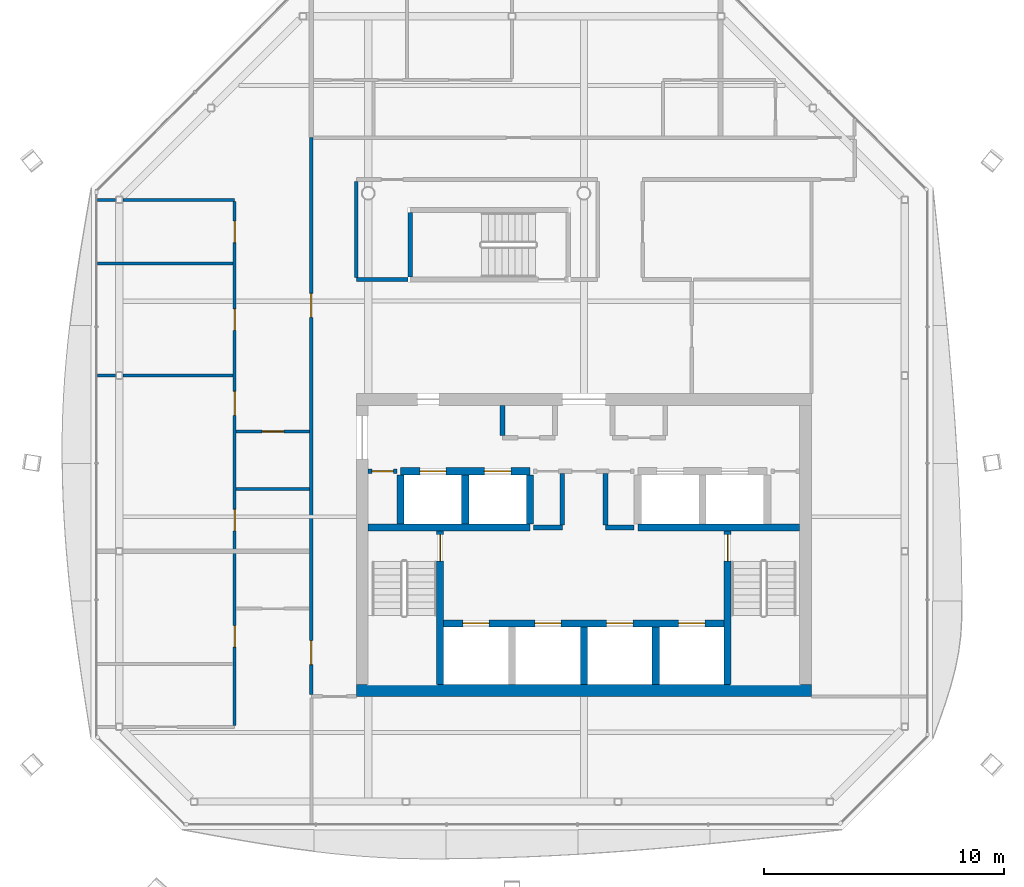
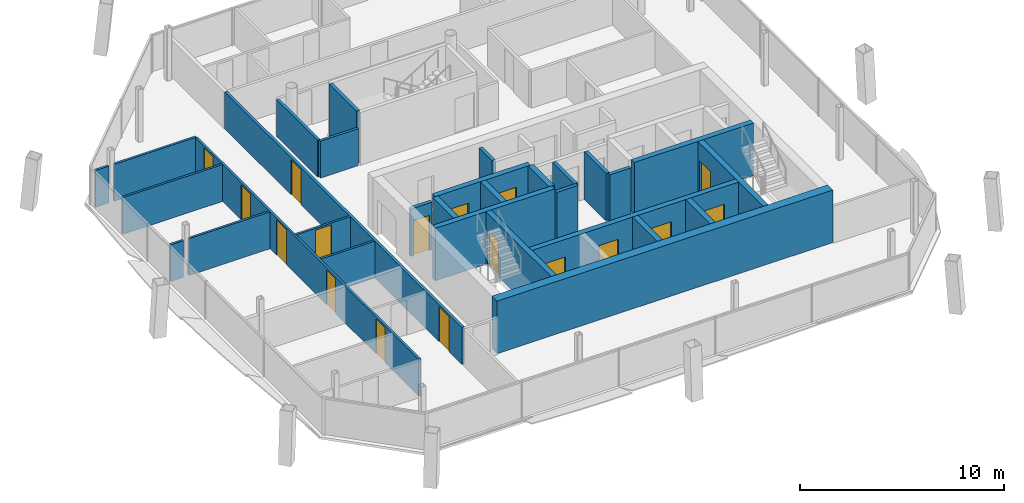
# One storey, part 10 of 16: 30 walls, 17 doors, 17 openings.
"""IFC4 building model written with IfcOpenShell, lengths in metres."""

from ifc_helpers import new_model, si_unit, direction, frame, frame_2d, origin, place, context, subcontext, project, spatial, rectangle, extrude, material, layer, layer_set, type_object, element, fill, save


model = new_model("IFC4")

# Units and contexts
model_context = context("Model", 3, precision=1e-05, world=origin(), true_north=direction((0.0, 1.0)))
body_context = subcontext(model_context, "Body", "Model", "MODEL_VIEW")
ifc_project = project(units=[si_unit("LENGTHUNIT", "METRE"), si_unit("AREAUNIT", "SQUARE_METRE"), si_unit("VOLUMEUNIT", "CUBIC_METRE"), si_unit("PLANEANGLEUNIT", "RADIAN"), si_unit("MASSUNIT", "GRAM", prefix="KILO")], contexts=[model_context])

# Site, building, storey
site_placement = place(None, origin())
site = spatial("IfcSite", under=ifc_project, at=site_placement, CompositionType="ELEMENT")
building_placement = place(site_placement, origin())
building = spatial("IfcBuilding", under=site, at=building_placement, Name="Tskaro Facet Tower", CompositionType="ELEMENT")
storey_placement = place(building_placement, frame((0.0, 0.0, 251.85009765625)))
storey = spatial("IfcBuildingStorey", under=building, at=storey_placement, Name="L66", CompositionType="ELEMENT", Elevation=251.85009765625)

# Wall, openings, doors
ifc_material_1 = material(Name="Concrete C60/75", Category="concrete")
ifc_layer_1 = layer(ifc_material_1, 0.300048828125, Name="Concrete C60/75")
ifc_layer_set_1 = layer_set([ifc_layer_1], Name="Concrete C60/75")
wall_type_1 = type_object("IfcWallType", Name="CORE-SHAFT", PredefinedType="SHEAR", material=ifc_layer_set_1)
wall_1_placement = place(storey_placement, frame((-5.85009765625, -8.949951171875, 0.0), z_axis=(0.0, 0.0, 1.0), x_axis=(1.0, 0.0, 0.0)))
wall_1 = element("IfcWall", 1, at=wall_1_placement, inside=storey, type_object=wall_type_1, Name="Shaft wall W006", PredefinedType="SHEAR", context=body_context, shape_type="SweptSolid", body=[
    extrude(rectangle(XDim=11.7001953125, YDim=0.300048828125, at=frame_2d((5.85009765625, 0.0))), origin(), (0.0, 0.0, 1.0), 3.14990234375),
])
opening_1_placement = place(wall_1_placement, frame((0.800048828125, 0.0, 0.0)))
opening_1 = element("IfcOpeningElement", 2, at=opening_1_placement, cuts=wall_1, Name="Opening LD-FF1", PredefinedType="OPENING", context=body_context, shape_type="SweptSolid", body=[
    extrude(rectangle(XDim=1.10009765625, YDim=2.10009765625, at=frame_2d((0.550048828125, 1.050048828125))), frame((0.0, 0.159912109375, 0.0), z_axis=(0.0, -1.0, 0.0), x_axis=(1.0, 0.0, 0.0)), (0.0, 0.0, 1.0), 0.320068359375),
])
opening_2_placement = place(wall_1_placement, frame((3.800048828125, 0.0, 0.0)))
opening_2 = element("IfcOpeningElement", 3, at=opening_2_placement, cuts=wall_1, Name="Opening LD-FF2", PredefinedType="OPENING", context=body_context, shape_type="SweptSolid", body=[
    extrude(rectangle(XDim=1.10009765625, YDim=2.10009765625, at=frame_2d((0.550048828125, 1.050048828125))), frame((0.0, 0.159912109375, 0.0), z_axis=(0.0, -1.0, 0.0), x_axis=(1.0, 0.0, 0.0)), (0.0, 0.0, 1.0), 0.320068359375),
])
opening_3_placement = place(wall_1_placement, frame((6.800048828125, 0.0, 0.0)))
opening_3 = element("IfcOpeningElement", 4, at=opening_3_placement, cuts=wall_1, Name="Opening LD-SV1", PredefinedType="OPENING", context=body_context, shape_type="SweptSolid", body=[
    extrude(rectangle(XDim=1.10009765625, YDim=2.10009765625, at=frame_2d((0.550048828125, 1.050048828125))), frame((0.0, 0.159912109375, 0.0), z_axis=(0.0, -1.0, 0.0), x_axis=(1.0, 0.0, 0.0)), (0.0, 0.0, 1.0), 0.320068359375),
])
opening_4_placement = place(wall_1_placement, frame((9.800048828125, 0.0, 0.0)))
opening_4 = element("IfcOpeningElement", 5, at=opening_4_placement, cuts=wall_1, Name="Opening LD-SV2", PredefinedType="OPENING", context=body_context, shape_type="SweptSolid", body=[
    extrude(rectangle(XDim=1.10009765625, YDim=2.10009765625, at=frame_2d((0.550048828125, 1.050048828125))), frame((0.0, 0.159912109375, 0.0), z_axis=(0.0, -1.0, 0.0), x_axis=(1.0, 0.0, 0.0)), (0.0, 0.0, 1.0), 0.320068359375),
])
ifc_material_2 = material(Name="Stainless steel", Category="steel")
door_type_1 = type_object("IfcDoorType", Name="D-LANDING", OperationType="NOTDEFINED", PredefinedType="DOOR", material=ifc_material_2)
door_1_placement = place(opening_1_placement, origin())
door_1 = element("IfcDoor", 6, at=door_1_placement, inside=storey, type_object=door_type_1, Name="Landing door FF1", OperationType="DOUBLE_DOOR_SLIDING", OverallHeight=2.10009765625, OverallWidth=1.10009765625, PredefinedType="DOOR", context=body_context, shape_type="SweptSolid", body=[
    extrude(rectangle(XDim=1.10009765625, YDim=2.10009765625, at=frame_2d((0.550048828125, 1.050048828125))), frame((0.0, 0.02490234375, 0.0), z_axis=(0.0, -1.0, 0.0), x_axis=(1.0, 0.0, 0.0)), (0.0, 0.0, 1.0), 0.050048828125),
])
fill(opening_1, door_1)
door_2_placement = place(opening_2_placement, origin())
door_2 = element("IfcDoor", 7, at=door_2_placement, inside=storey, type_object=door_type_1, Name="Landing door FF2", OperationType="DOUBLE_DOOR_SLIDING", OverallHeight=2.10009765625, OverallWidth=1.10009765625, PredefinedType="DOOR", context=body_context, shape_type="SweptSolid", body=[
    extrude(rectangle(XDim=1.10009765625, YDim=2.10009765625, at=frame_2d((0.550048828125, 1.050048828125))), frame((0.0, 0.02490234375, 0.0), z_axis=(0.0, -1.0, 0.0), x_axis=(1.0, 0.0, 0.0)), (0.0, 0.0, 1.0), 0.050048828125),
])
fill(opening_2, door_2)
door_3_placement = place(opening_3_placement, origin())
door_3 = element("IfcDoor", 8, at=door_3_placement, inside=storey, type_object=door_type_1, Name="Landing door SV1", OperationType="DOUBLE_DOOR_SLIDING", OverallHeight=2.10009765625, OverallWidth=1.10009765625, PredefinedType="DOOR", context=body_context, shape_type="SweptSolid", body=[
    extrude(rectangle(XDim=1.10009765625, YDim=2.10009765625, at=frame_2d((0.550048828125, 1.050048828125))), frame((0.0, 0.02490234375, 0.0), z_axis=(0.0, -1.0, 0.0), x_axis=(1.0, 0.0, 0.0)), (0.0, 0.0, 1.0), 0.050048828125),
])
fill(opening_3, door_3)
door_4_placement = place(opening_4_placement, origin())
door_4 = element("IfcDoor", 9, at=door_4_placement, inside=storey, type_object=door_type_1, Name="Landing door SV2", OperationType="DOUBLE_DOOR_SLIDING", OverallHeight=2.10009765625, OverallWidth=1.10009765625, PredefinedType="DOOR", context=body_context, shape_type="SweptSolid", body=[
    extrude(rectangle(XDim=1.10009765625, YDim=2.10009765625, at=frame_2d((0.550048828125, 1.050048828125))), frame((0.0, 0.02490234375, 0.0), z_axis=(0.0, -1.0, 0.0), x_axis=(1.0, 0.0, 0.0)), (0.0, 0.0, 1.0), 0.050048828125),
])
fill(opening_4, door_4)

# Walls
for number, where, z_axis, x_axis, name in (
    (10, (-9.0, -4.949951171875, 0.0), (0.0, 0.0, 1.0), (1.0, 0.0, 0.0), "Shaft wall W010"),
    (11, (2.25, -4.949951171875, 0.0), (0.0, 0.0, 1.0), (1.0, 0.0, 0.0), "Shaft wall W013"),
):
    element("IfcWall", number, at=place(storey_placement, frame(where, z_axis=z_axis, x_axis=x_axis)), inside=storey, type_object=wall_type_1, Name=name, PredefinedType="SHEAR", context=body_context, shape_type="SweptSolid", body=[
        extrude(rectangle(XDim=6.75, YDim=0.300048828125, at=frame_2d((3.375, 0.0))), origin(), (0.0, 0.0, 1.0), 3.14990234375),
    ])

# Wall, openings, doors
wall_2_placement = place(storey_placement, frame((-7.64990234375, -2.60009765625, 0.0), z_axis=(0.0, 0.0, 1.0), x_axis=(1.0, 0.0, 0.0)))
wall_2 = element("IfcWall", 12, at=wall_2_placement, inside=storey, type_object=wall_type_1, Name="Shaft wall W016", PredefinedType="SHEAR", context=body_context, shape_type="SweptSolid", body=[
    extrude(rectangle(XDim=5.39990234375, YDim=0.300048828125, at=frame_2d((2.699951171875, 0.0))), origin(), (0.0, 0.0, 1.0), 3.14990234375),
])
opening_5_placement = place(wall_2_placement, frame((0.800048828125, 0.0, 0.0)))
opening_5 = element("IfcOpeningElement", 13, at=opening_5_placement, cuts=wall_2, Name="Opening LD-HB1", PredefinedType="OPENING", context=body_context, shape_type="SweptSolid", body=[
    extrude(rectangle(XDim=1.10009765625, YDim=2.10009765625, at=frame_2d((0.550048828125, 1.050048828125))), frame((0.0, 0.159912109375, 0.0), z_axis=(0.0, -1.0, 0.0), x_axis=(1.0, 0.0, 0.0)), (0.0, 0.0, 1.0), 0.320068359375),
])
opening_6_placement = place(wall_2_placement, frame((3.5, 0.0, 0.0)))
opening_6 = element("IfcOpeningElement", 14, at=opening_6_placement, cuts=wall_2, Name="Opening LD-HB2", PredefinedType="OPENING", context=body_context, shape_type="SweptSolid", body=[
    extrude(rectangle(XDim=1.10009765625, YDim=2.10009765625, at=frame_2d((0.550048828125, 1.050048828125))), frame((0.0, 0.159912109375, 0.0), z_axis=(0.0, -1.0, 0.0), x_axis=(1.0, 0.0, 0.0)), (0.0, 0.0, 1.0), 0.320068359375),
])
door_5_placement = place(opening_5_placement, origin())
door_5 = element("IfcDoor", 15, at=door_5_placement, inside=storey, type_object=door_type_1, Name="Landing door HB1", OperationType="DOUBLE_DOOR_SLIDING", OverallHeight=2.10009765625, OverallWidth=1.10009765625, PredefinedType="DOOR", context=body_context, shape_type="SweptSolid", body=[
    extrude(rectangle(XDim=1.10009765625, YDim=2.10009765625, at=frame_2d((0.550048828125, 1.050048828125))), frame((0.0, 0.02490234375, 0.0), z_axis=(0.0, -1.0, 0.0), x_axis=(1.0, 0.0, 0.0)), (0.0, 0.0, 1.0), 0.050048828125),
])
fill(opening_5, door_5)
door_6_placement = place(opening_6_placement, origin())
door_6 = element("IfcDoor", 16, at=door_6_placement, inside=storey, type_object=door_type_1, Name="Landing door HB2", OperationType="DOUBLE_DOOR_SLIDING", OverallHeight=2.10009765625, OverallWidth=1.10009765625, PredefinedType="DOOR", context=body_context, shape_type="SweptSolid", body=[
    extrude(rectangle(XDim=1.10009765625, YDim=2.10009765625, at=frame_2d((0.550048828125, 1.050048828125))), frame((0.0, 0.02490234375, 0.0), z_axis=(0.0, -1.0, 0.0), x_axis=(1.0, 0.0, 0.0)), (0.0, 0.0, 1.0), 0.050048828125),
])
fill(opening_6, door_6)

# Wall
wall_3_placement = place(storey_placement, frame((-7.64990234375, -4.800048828125, 0.0), z_axis=(0.0, 0.0, 1.0), x_axis=(0.0, 1.0, 0.0)))
element("IfcWall", 17, at=wall_3_placement, inside=storey, type_object=wall_type_1, Name="Shaft wall W045", PredefinedType="SHEAR", context=body_context, shape_type="SweptSolid", body=[
    extrude(rectangle(XDim=2.050048828125, YDim=0.300048828125, at=frame_2d((1.02490234375, 0.0))), origin(), (0.0, 0.0, 1.0), 3.14990234375),
])

# Wall, opening, door
wall_4_placement = place(storey_placement, frame((-6.0, -11.5, 0.0), z_axis=(0.0, 0.0, 1.0), x_axis=(0.0, 1.0, 0.0)))
wall_4 = element("IfcWall", 18, at=wall_4_placement, inside=storey, type_object=wall_type_1, Name="Shaft wall W048", PredefinedType="SHEAR", context=body_context, shape_type="SweptSolid", body=[
    extrude(rectangle(XDim=6.39990234375, YDim=0.300048828125, at=frame_2d((3.199951171875, 0.0))), origin(), (0.0, 0.0, 1.0), 3.14990234375),
])
opening_7_placement = place(wall_4_placement, frame((5.14990234375, 0.0, 0.0)))
opening_7 = element("IfcOpeningElement", 19, at=opening_7_placement, cuts=wall_4, Name="Opening ST-1-D1", PredefinedType="OPENING", context=body_context, shape_type="SweptSolid", body=[
    extrude(rectangle(XDim=1.10009765625, YDim=2.10009765625, at=frame_2d((0.550048828125, 1.050048828125))), frame((0.0, 0.159912109375, 0.0), z_axis=(0.0, -1.0, 0.0), x_axis=(1.0, 0.0, 0.0)), (0.0, 0.0, 1.0), 0.320068359375),
])
ifc_material_3 = material(Name="Steel", Category="steel")
door_type_2 = type_object("IfcDoorType", Name="D-STAIR", OperationType="NOTDEFINED", PredefinedType="DOOR", material=ifc_material_3)
door_7_placement = place(opening_7_placement, origin())
door_7 = element("IfcDoor", 20, at=door_7_placement, inside=storey, type_object=door_type_2, Name="Stair door 1", OperationType="SINGLE_SWING_LEFT", OverallHeight=2.10009765625, OverallWidth=1.10009765625, PredefinedType="DOOR", context=body_context, shape_type="SweptSolid", body=[
    extrude(rectangle(XDim=1.10009765625, YDim=2.10009765625, at=frame_2d((0.550048828125, 1.050048828125))), frame((0.0, 0.02490234375, 0.0), z_axis=(0.0, -1.0, 0.0), x_axis=(1.0, 0.0, 0.0)), (0.0, 0.0, 1.0), 0.050048828125),
])
fill(opening_7, door_7)

# Walls
for number, where, z_axis, x_axis, name in (
    (21, (-4.949951171875, -4.800048828125, 0.0), (0.0, 0.0, 1.0), (0.0, 1.0, 0.0), "Shaft wall W049"),
    (22, (-2.25, -4.800048828125, 0.0), (0.0, 0.0, 1.0), (0.0, 1.0, 0.0), "Shaft wall W054"),
):
    element("IfcWall", number, at=place(storey_placement, frame(where, z_axis=z_axis, x_axis=x_axis)), inside=storey, type_object=wall_type_1, Name=name, PredefinedType="SHEAR", context=body_context, shape_type="SweptSolid", body=[
        extrude(rectangle(XDim=2.050048828125, YDim=0.300048828125, at=frame_2d((1.02490234375, 0.0))), origin(), (0.0, 0.0, 1.0), 3.14990234375),
    ])
for number, where, z_axis, x_axis, name in (
    (23, (0.0, -11.5, 0.0), (0.0, 0.0, 1.0), (0.0, 1.0, 0.0), "Shaft wall W058"),
    (24, (3.0, -11.5, 0.0), (0.0, 0.0, 1.0), (0.0, 1.0, 0.0), "Shaft wall W064"),
):
    element("IfcWall", number, at=place(storey_placement, frame(where, z_axis=z_axis, x_axis=x_axis)), inside=storey, type_object=wall_type_1, Name=name, PredefinedType="SHEAR", context=body_context, shape_type="SweptSolid", body=[
        extrude(rectangle(XDim=2.39990234375, YDim=0.300048828125, at=frame_2d((1.199951171875, 0.0))), origin(), (0.0, 0.0, 1.0), 3.14990234375),
    ])

# Wall, opening, door
wall_5_placement = place(storey_placement, frame((6.0, -5.10009765625, 0.0), z_axis=(0.0, 0.0, 1.0), x_axis=(0.0, -1.0, 0.0)))
wall_5 = element("IfcWall", 25, at=wall_5_placement, inside=storey, type_object=wall_type_1, Name="Shaft wall W071", PredefinedType="SHEAR", context=body_context, shape_type="SweptSolid", body=[
    extrude(rectangle(XDim=6.39990234375, YDim=0.300048828125, at=frame_2d((3.199951171875, 0.0))), origin(), (0.0, 0.0, 1.0), 3.14990234375),
])
opening_8_placement = place(wall_5_placement, frame((0.14990234375, 0.0, 0.0)))
opening_8 = element("IfcOpeningElement", 26, at=opening_8_placement, cuts=wall_5, Name="Opening ST-2-D1", PredefinedType="OPENING", context=body_context, shape_type="SweptSolid", body=[
    extrude(rectangle(XDim=1.10009765625, YDim=2.10009765625, at=frame_2d((0.550048828125, 1.050048828125))), frame((0.0, 0.159912109375, 0.0), z_axis=(0.0, -1.0, 0.0), x_axis=(1.0, 0.0, 0.0)), (0.0, 0.0, 1.0), 0.320068359375),
])
door_8_placement = place(opening_8_placement, origin())
door_8 = element("IfcDoor", 27, at=door_8_placement, inside=storey, type_object=door_type_2, Name="Stair door 2", OperationType="SINGLE_SWING_RIGHT", OverallHeight=2.10009765625, OverallWidth=1.10009765625, PredefinedType="DOOR", context=body_context, shape_type="SweptSolid", body=[
    extrude(rectangle(XDim=1.10009765625, YDim=2.10009765625, at=frame_2d((0.550048828125, 1.050048828125))), frame((0.0, 0.02490234375, 0.0), z_axis=(0.0, -1.0, 0.0), x_axis=(1.0, 0.0, 0.0)), (0.0, 0.0, 1.0), 0.050048828125),
])
fill(opening_8, door_8)

# Walls
ifc_material_4 = material(Name="Concrete C20/25", Category="concrete")
ifc_layer_2 = layer(ifc_material_4, 0.199951171875, Name="Concrete C20/25")
ifc_layer_set_2 = layer_set([ifc_layer_2], Name="Concrete C20/25")
wall_type_2 = type_object("IfcWallType", Name="CORE-WALL", PredefinedType="SOLIDWALL", material=ifc_layer_set_2)
for number, where, z_axis, x_axis, name in (
    (28, (-2.10009765625, -4.949951171875, 0.0), (0.0, 0.0, 1.0), (1.0, 0.0, 0.0), "Core room wall W011"),
    (29, (0.89990234375, -4.949951171875, 0.0), (0.0, 0.0, 1.0), (1.0, 0.0, 0.0), "Core room wall W012"),
):
    element("IfcWall", number, at=place(storey_placement, frame(where, z_axis=z_axis, x_axis=x_axis)), inside=storey, type_object=wall_type_2, Name=name, PredefinedType="SOLIDWALL", context=body_context, shape_type="SweptSolid", body=[
        extrude(rectangle(XDim=1.2001953125, YDim=0.199951171875, at=frame_2d((0.60009765625, 0.0))), origin(), (0.0, 0.0, 1.0), 2.849853515625),
    ])

# Wall, opening, door
wall_6_placement = place(storey_placement, frame((-7.800048828125, -2.60009765625, 0.0), z_axis=(0.0, 0.0, 1.0), x_axis=(-1.0, 0.0, 0.0)))
wall_6 = element("IfcWall", 30, at=wall_6_placement, inside=storey, type_object=wall_type_2, Name="Core room wall W015", PredefinedType="SOLIDWALL", context=body_context, shape_type="SweptSolid", body=[
    extrude(rectangle(XDim=1.199951171875, YDim=0.199951171875, at=frame_2d((0.60009765625, 0.0))), origin(), (0.0, 0.0, 1.0), 2.849853515625),
])
opening_9_placement = place(wall_6_placement, frame((0.14990234375, 0.0, 0.0)))
opening_9 = element("IfcOpeningElement", 31, at=opening_9_placement, cuts=wall_6, Name="Opening T19-D07", PredefinedType="OPENING", context=body_context, shape_type="SweptSolid", body=[
    extrude(rectangle(XDim=0.89990234375, YDim=2.10009765625, at=frame_2d((0.449951171875, 1.050048828125))), frame((0.0, 0.10986328125, 0.0), z_axis=(0.0, -1.0, 0.0), x_axis=(1.0, 0.0, 0.0)), (0.0, 0.0, 1.0), 0.219970703125),
])
ifc_material_5 = material(Name="Timber", Category="wood")
door_type_3 = type_object("IfcDoorType", Name="D-ROOM", OperationType="NOTDEFINED", PredefinedType="DOOR", material=ifc_material_5)
door_9_placement = place(opening_9_placement, origin())
door_9 = element("IfcDoor", 32, at=door_9_placement, inside=storey, type_object=door_type_3, Name="Door T19-D07", OperationType="SINGLE_SWING_RIGHT", OverallHeight=2.10009765625, OverallWidth=0.89990234375, PredefinedType="DOOR", context=body_context, shape_type="SweptSolid", body=[
    extrude(rectangle(XDim=0.89990234375, YDim=2.10009765625, at=frame_2d((0.449951171875, 1.050048828125))), frame((0.0, 0.02490234375, 0.0), z_axis=(0.0, -1.0, 0.0), x_axis=(1.0, 0.0, 0.0)), (0.0, 0.0, 1.0), 0.050048828125),
])
fill(opening_9, door_9)

# Walls
wall_7_placement = place(storey_placement, frame((-3.39990234375, -1.10009765625, 0.0), z_axis=(0.0, 0.0, 1.0), x_axis=(0.0, 1.0, 0.0)))
element("IfcWall", 33, at=wall_7_placement, inside=storey, type_object=wall_type_2, Name="Core room wall W050", PredefinedType="SOLIDWALL", context=body_context, shape_type="SweptSolid", body=[
    extrude(rectangle(XDim=1.25, YDim=0.199951171875, at=frame_2d((0.625, 0.0))), origin(), (0.0, 0.0, 1.0), 2.849853515625),
])
for number, where, z_axis, x_axis, name in (
    (34, (-0.89990234375, -4.85009765625, 0.0), (0.0, 0.0, 1.0), (0.0, 1.0, 0.0), "Core room wall W056"),
    (35, (0.89990234375, -4.85009765625, 0.0), (0.0, 0.0, 1.0), (0.0, 1.0, 0.0), "Core room wall W060"),
):
    element("IfcWall", number, at=place(storey_placement, frame(where, z_axis=z_axis, x_axis=x_axis)), inside=storey, type_object=wall_type_2, Name=name, PredefinedType="SOLIDWALL", context=body_context, shape_type="SweptSolid", body=[
        extrude(rectangle(XDim=2.150146484375, YDim=0.199951171875, at=frame_2d((1.0751953125, 0.0))), origin(), (0.0, 0.0, 1.0), 2.849853515625),
    ])
ifc_material_6 = material(Name="Concrete C40/50", Category="concrete")
ifc_layer_3 = layer(ifc_material_6, 0.5, Name="Concrete C40/50")
ifc_layer_set_3 = layer_set([ifc_layer_3], Name="Concrete C40/50")
wall_type_3 = type_object("IfcWallType", Name="Core wall 500", PredefinedType="SHEAR", material=ifc_layer_set_3)
wall_8_placement = place(storey_placement, frame((-9.5, -11.75, 0.0), z_axis=(0.0, 0.0, 1.0), x_axis=(1.0, 0.0, 0.0)))
element("IfcWall", 36, at=wall_8_placement, inside=storey, type_object=wall_type_3, Name="Core wall CW-Z3S", PredefinedType="SHEAR", context=body_context, shape_type="SweptSolid", body=[
    extrude(rectangle(XDim=19.0, YDim=0.5, at=frame_2d((9.5, 0.0))), origin(), (0.0, 0.0, 1.0), 3.14990234375),
])
ifc_material_7 = material(Name="Gypsum board on steel studs", Category="steel")
ifc_layer_4 = layer(ifc_material_7, 0.125, Name="Gypsum board on steel studs")
ifc_layer_set_4 = layer_set([ifc_layer_4], Name="Gypsum board on steel studs")
wall_type_4 = type_object("IfcWallType", Name="PART", PredefinedType="PARTITIONING", material=ifc_layer_set_4)
wall_9_placement = place(storey_placement, frame((-14.512451171875, -3.340087890625, 0.0), z_axis=(0.0, 0.0, 1.0), x_axis=(1.0, 0.0, 0.0)))
element("IfcWall", 37, at=wall_9_placement, inside=storey, type_object=wall_type_4, Name="Partition W014", PredefinedType="PARTITIONING", context=body_context, shape_type="SweptSolid", body=[
    extrude(rectangle(XDim=3.0625, YDim=0.125, at=frame_2d((1.53125, 0.0))), origin(), (0.0, 0.0, 1.0), 2.2099609375),
])

# Wall, opening, door
wall_10_placement = place(storey_placement, frame((-11.449951171875, -0.93994140625, 0.0), z_axis=(0.0, 0.0, 1.0), x_axis=(-1.0, 0.0, 0.0)))
wall_10 = element("IfcWall", 38, at=wall_10_placement, inside=storey, type_object=wall_type_4, Name="Partition W022", PredefinedType="PARTITIONING", context=body_context, shape_type="SweptSolid", body=[
    extrude(rectangle(XDim=3.0625, YDim=0.125, at=frame_2d((1.53125, 0.0))), origin(), (0.0, 0.0, 1.0), 2.2099609375),
])
opening_10_placement = place(wall_10_placement, frame((1.074951171875, 0.0, 0.0)))
opening_10 = element("IfcOpeningElement", 39, at=opening_10_placement, cuts=wall_10, Name="Opening T19-D14", PredefinedType="OPENING", context=body_context, shape_type="SweptSolid", body=[
    extrude(rectangle(XDim=0.89990234375, YDim=2.10009765625, at=frame_2d((0.449951171875, 1.050048828125))), frame((0.0, 0.072509765625, 0.0), z_axis=(0.0, -1.0, 0.0), x_axis=(1.0, 0.0, 0.0)), (0.0, 0.0, 1.0), 0.14501953125),
])
door_10_placement = place(opening_10_placement, origin())
door_10 = element("IfcDoor", 40, at=door_10_placement, inside=storey, type_object=door_type_3, Name="Door T19-D14", OperationType="SINGLE_SWING_RIGHT", OverallHeight=2.10009765625, OverallWidth=0.89990234375, PredefinedType="DOOR", context=body_context, shape_type="SweptSolid", body=[
    extrude(rectangle(XDim=0.89990234375, YDim=2.10009765625, at=frame_2d((0.449951171875, 1.050048828125))), frame((0.0, 0.02490234375, 0.0), z_axis=(0.0, -1.0, 0.0), x_axis=(1.0, 0.0, 0.0)), (0.0, 0.0, 1.0), 0.050048828125),
])
fill(opening_10, door_10)

# Walls
wall_11_placement = place(storey_placement, frame((-20.2900390625, 1.39501953125, 0.0), z_axis=(0.0, 0.0, 1.0), x_axis=(1.0, 0.0, 0.0)))
element("IfcWall", 41, at=wall_11_placement, inside=storey, type_object=wall_type_4, Name="Partition W023", PredefinedType="PARTITIONING", context=body_context, shape_type="SweptSolid", body=[
    extrude(rectangle(XDim=0.7490234375, YDim=0.125, at=frame_2d((0.37451171875, 0.0))), origin(), (0.0, 0.0, 1.0), 2.2099609375),
])
wall_12_placement = place(storey_placement, frame((-19.240966796875, 1.39501953125, 0.0), z_axis=(0.0, 0.0, 1.0), x_axis=(1.0, 0.0, 0.0)))
element("IfcWall", 42, at=wall_12_placement, inside=storey, type_object=wall_type_4, Name="Partition W024", PredefinedType="PARTITIONING", context=body_context, shape_type="SweptSolid", body=[
    extrude(rectangle(XDim=4.603515625, YDim=0.125, at=frame_2d((2.3017578125, 0.0))), origin(), (0.0, 0.0, 1.0), 2.2099609375),
])
wall_13_placement = place(storey_placement, frame((-20.2900390625, 6.06005859375, 0.0), z_axis=(0.0, 0.0, 1.0), x_axis=(1.0, 0.0, 0.0)))
element("IfcWall", 43, at=wall_13_placement, inside=storey, type_object=wall_type_4, Name="Partition W030", PredefinedType="PARTITIONING", context=body_context, shape_type="SweptSolid", body=[
    extrude(rectangle(XDim=5.652587890625, YDim=0.125, at=frame_2d((2.826171875, 0.0))), origin(), (0.0, 0.0, 1.0), 2.2099609375),
])
wall_14_placement = place(storey_placement, frame((-20.2900390625, 8.72509765625, 0.0), z_axis=(0.0, 0.0, 1.0), x_axis=(1.0, 0.0, 0.0)))
element("IfcWall", 44, at=wall_14_placement, inside=storey, type_object=wall_type_4, Name="Partition W032", PredefinedType="PARTITIONING", context=body_context, shape_type="SweptSolid", body=[
    extrude(rectangle(XDim=0.7490234375, YDim=0.125, at=frame_2d((0.37451171875, 0.0))), origin(), (0.0, 0.0, 1.0), 2.2099609375),
])
wall_15_placement = place(storey_placement, frame((-19.240966796875, 8.72509765625, 0.0), z_axis=(0.0, 0.0, 1.0), x_axis=(1.0, 0.0, 0.0)))
element("IfcWall", 45, at=wall_15_placement, inside=storey, type_object=wall_type_4, Name="Partition W033", PredefinedType="PARTITIONING", context=body_context, shape_type="SweptSolid", body=[
    extrude(rectangle(XDim=4.666015625, YDim=0.125, at=frame_2d((2.3330078125, 0.0))), origin(), (0.0, 0.0, 1.0), 2.2099609375),
])

# Wall, openings, doors
wall_16_placement = place(storey_placement, frame((-14.574951171875, -13.20751953125, 0.0), z_axis=(0.0, 0.0, 1.0), x_axis=(0.0, 1.0, 0.0)))
wall_16 = element("IfcWall", 46, at=wall_16_placement, inside=storey, type_object=wall_type_4, Name="Partition W039", PredefinedType="PARTITIONING", context=body_context, shape_type="SweptSolid", body=[
    extrude(rectangle(XDim=21.8701171875, YDim=0.125, at=frame_2d((10.93505859375, 0.0))), origin(), (0.0, 0.0, 1.0), 2.2099609375),
])
opening_11_placement = place(wall_16_placement, frame((3.267578125, 0.0, 0.0)))
opening_11 = element("IfcOpeningElement", 47, at=opening_11_placement, cuts=wall_16, Name="Opening T19-D04", PredefinedType="OPENING", context=body_context, shape_type="SweptSolid", body=[
    extrude(rectangle(XDim=0.89990234375, YDim=2.10009765625, at=frame_2d((0.449951171875, 1.050048828125))), frame((0.0, 0.072509765625, 0.0), z_axis=(0.0, -1.0, 0.0), x_axis=(1.0, 0.0, 0.0)), (0.0, 0.0, 1.0), 0.14501953125),
])
opening_12_placement = place(wall_16_placement, frame((16.485107421875, 0.0, 0.0)))
opening_12 = element("IfcOpeningElement", 48, at=opening_12_placement, cuts=wall_16, Name="Opening T19-D19", PredefinedType="OPENING", context=body_context, shape_type="SweptSolid", body=[
    extrude(rectangle(XDim=0.89990234375, YDim=2.10009765625, at=frame_2d((0.449951171875, 1.050048828125))), frame((0.0, 0.072509765625, 0.0), z_axis=(0.0, -1.0, 0.0), x_axis=(1.0, 0.0, 0.0)), (0.0, 0.0, 1.0), 0.14501953125),
])
opening_13_placement = place(wall_16_placement, frame((12.93505859375, 0.0, 0.0)))
opening_13 = element("IfcOpeningElement", 49, at=opening_13_placement, cuts=wall_16, Name="Opening T19-D15", PredefinedType="OPENING", context=body_context, shape_type="SweptSolid", body=[
    extrude(rectangle(XDim=1.0, YDim=2.10009765625, at=frame_2d((0.5, 1.050048828125))), frame((0.0, 0.072509765625, 0.0), z_axis=(0.0, -1.0, 0.0), x_axis=(1.0, 0.0, 0.0)), (0.0, 0.0, 1.0), 0.14501953125),
])
opening_14_placement = place(wall_16_placement, frame((20.14990234375, 0.0, 0.0)))
opening_14 = element("IfcOpeningElement", 50, at=opening_14_placement, cuts=wall_16, Name="Opening T19-D21", PredefinedType="OPENING", context=body_context, shape_type="SweptSolid", body=[
    extrude(rectangle(XDim=0.89990234375, YDim=2.10009765625, at=frame_2d((0.449951171875, 1.050048828125))), frame((0.0, 0.072509765625, 0.0), z_axis=(0.0, -1.0, 0.0), x_axis=(1.0, 0.0, 0.0)), (0.0, 0.0, 1.0), 0.14501953125),
])
opening_15_placement = place(wall_16_placement, frame((8.117431640625, 0.0, 0.0)))
opening_15 = element("IfcOpeningElement", 51, at=opening_15_placement, cuts=wall_16, Name="Opening T19-D06", PredefinedType="OPENING", context=body_context, shape_type="SweptSolid", body=[
    extrude(rectangle(XDim=0.89990234375, YDim=2.10009765625, at=frame_2d((0.449951171875, 1.050048828125))), frame((0.0, 0.072509765625, 0.0), z_axis=(0.0, -1.0, 0.0), x_axis=(1.0, 0.0, 0.0)), (0.0, 0.0, 1.0), 0.14501953125),
])
door_11_placement = place(opening_11_placement, origin())
door_11 = element("IfcDoor", 52, at=door_11_placement, inside=storey, type_object=door_type_3, Name="Door T19-D04", OperationType="SINGLE_SWING_LEFT", OverallHeight=2.10009765625, OverallWidth=0.89990234375, PredefinedType="DOOR", context=body_context, shape_type="SweptSolid", body=[
    extrude(rectangle(XDim=0.89990234375, YDim=2.10009765625, at=frame_2d((0.449951171875, 1.050048828125))), frame((0.0, 0.02490234375, 0.0), z_axis=(0.0, -1.0, 0.0), x_axis=(1.0, 0.0, 0.0)), (0.0, 0.0, 1.0), 0.050048828125),
])
fill(opening_11, door_11)
door_12_placement = place(opening_12_placement, origin())
door_12 = element("IfcDoor", 53, at=door_12_placement, inside=storey, type_object=door_type_3, Name="Door T19-D19", OperationType="SINGLE_SWING_RIGHT", OverallHeight=2.10009765625, OverallWidth=0.89990234375, PredefinedType="DOOR", context=body_context, shape_type="SweptSolid", body=[
    extrude(rectangle(XDim=0.89990234375, YDim=2.10009765625, at=frame_2d((0.449951171875, 1.050048828125))), frame((0.0, 0.02490234375, 0.0), z_axis=(0.0, -1.0, 0.0), x_axis=(1.0, 0.0, 0.0)), (0.0, 0.0, 1.0), 0.050048828125),
])
fill(opening_12, door_12)
door_13_placement = place(opening_14_placement, origin())
door_13 = element("IfcDoor", 54, at=door_13_placement, inside=storey, type_object=door_type_3, Name="Door T19-D21", OperationType="SINGLE_SWING_RIGHT", OverallHeight=2.10009765625, OverallWidth=0.89990234375, PredefinedType="DOOR", context=body_context, shape_type="SweptSolid", body=[
    extrude(rectangle(XDim=0.89990234375, YDim=2.10009765625, at=frame_2d((0.449951171875, 1.050048828125))), frame((0.0, 0.02490234375, 0.0), z_axis=(0.0, -1.0, 0.0), x_axis=(1.0, 0.0, 0.0)), (0.0, 0.0, 1.0), 0.050048828125),
])
fill(opening_14, door_13)
door_14_placement = place(opening_15_placement, origin())
door_14 = element("IfcDoor", 55, at=door_14_placement, inside=storey, type_object=door_type_3, Name="Door T19-D06", OperationType="SINGLE_SWING_LEFT", OverallHeight=2.10009765625, OverallWidth=0.89990234375, PredefinedType="DOOR", context=body_context, shape_type="SweptSolid", body=[
    extrude(rectangle(XDim=0.89990234375, YDim=2.10009765625, at=frame_2d((0.449951171875, 1.050048828125))), frame((0.0, 0.02490234375, 0.0), z_axis=(0.0, -1.0, 0.0), x_axis=(1.0, 0.0, 0.0)), (0.0, 0.0, 1.0), 0.050048828125),
])
fill(opening_15, door_14)
door_type_4 = type_object("IfcDoorType", Name="D-ROOM-WIDE", OperationType="NOTDEFINED", PredefinedType="DOOR", material=ifc_material_5)
door_15_placement = place(opening_13_placement, origin())
door_15 = element("IfcDoor", 56, at=door_15_placement, inside=storey, type_object=door_type_4, Name="Door T19-D15", OperationType="SINGLE_SWING_LEFT", OverallHeight=2.10009765625, OverallWidth=1.0, PredefinedType="DOOR", context=body_context, shape_type="SweptSolid", body=[
    extrude(rectangle(XDim=1.0, YDim=2.10009765625, at=frame_2d((0.5, 1.050048828125))), frame((0.0, 0.02490234375, 0.0), z_axis=(0.0, -1.0, 0.0), x_axis=(1.0, 0.0, 0.0)), (0.0, 0.0, 1.0), 0.050048828125),
])
fill(opening_13, door_15)

# Wall
ifc_layer_5 = layer(ifc_material_7, 0.14990234375, Name="Gypsum board on steel studs")
ifc_layer_set_5 = layer_set([ifc_layer_5], Name="Gypsum board on steel studs")
wall_type_5 = type_object("IfcWallType", Name="PART-CORR", PredefinedType="PARTITIONING", material=ifc_layer_set_5)
wall_17_placement = place(storey_placement, frame((-9.5, 5.39990234375, 0.0), z_axis=(0.0, 0.0, 1.0), x_axis=(1.0, 0.0, 0.0)))
element("IfcWall", 57, at=wall_17_placement, inside=storey, type_object=wall_type_5, Name="Corridor wall W025", PredefinedType="PARTITIONING", context=body_context, shape_type="SweptSolid", body=[
    extrude(rectangle(XDim=2.14990234375, YDim=0.14990234375, at=frame_2d((1.074951171875, 0.0))), origin(), (0.0, 0.0, 1.0), 2.2099609375),
])

# Wall, openings, doors
wall_18_placement = place(storey_placement, frame((-11.375, -11.925048828125, 0.0), z_axis=(0.0, 0.0, 1.0), x_axis=(0.0, 1.0, 0.0)))
wall_18 = element("IfcWall", 58, at=wall_18_placement, inside=storey, type_object=wall_type_5, Name="Corridor wall W041", PredefinedType="PARTITIONING", context=body_context, shape_type="SweptSolid", body=[
    extrude(rectangle(XDim=23.25, YDim=0.14990234375, at=frame_2d((11.625, 0.0))), origin(), (0.0, 0.0, 1.0), 2.2099609375),
])
opening_16_placement = place(wall_18_placement, frame((1.2548828125, 0.0, 0.0)))
opening_16 = element("IfcOpeningElement", 59, at=opening_16_placement, cuts=wall_18, Name="Opening T19-D03", PredefinedType="OPENING", context=body_context, shape_type="SweptSolid", body=[
    extrude(rectangle(XDim=1.0, YDim=2.10009765625, at=frame_2d((0.5, 1.050048828125))), frame((0.0, 0.0849609375, 0.0), z_axis=(0.0, -1.0, 0.0), x_axis=(1.0, 0.0, 0.0)), (0.0, 0.0, 1.0), 0.169921875),
])
opening_17_placement = place(wall_18_placement, frame((15.742431640625, 0.0, 0.0)))
opening_17 = element("IfcOpeningElement", 60, at=opening_17_placement, cuts=wall_18, Name="Opening T19-D20", PredefinedType="OPENING", context=body_context, shape_type="SweptSolid", body=[
    extrude(rectangle(XDim=1.0, YDim=2.10009765625, at=frame_2d((0.5, 1.050048828125))), frame((0.0, 0.0849609375, 0.0), z_axis=(0.0, -1.0, 0.0), x_axis=(1.0, 0.0, 0.0)), (0.0, 0.0, 1.0), 0.169921875),
])
door_type_5 = type_object("IfcDoorType", Name="D-FLAT-ENTRY", OperationType="NOTDEFINED", PredefinedType="DOOR", material=ifc_material_5)
door_16_placement = place(opening_16_placement, origin())
door_16 = element("IfcDoor", 61, at=door_16_placement, inside=storey, type_object=door_type_5, Name="Door T19-D03", OperationType="SINGLE_SWING_LEFT", OverallHeight=2.10009765625, OverallWidth=1.0, PredefinedType="DOOR", context=body_context, shape_type="SweptSolid", body=[
    extrude(rectangle(XDim=1.0, YDim=2.10009765625, at=frame_2d((0.5, 1.050048828125))), frame((0.0, 0.02490234375, 0.0), z_axis=(0.0, -1.0, 0.0), x_axis=(1.0, 0.0, 0.0)), (0.0, 0.0, 1.0), 0.050048828125),
])
fill(opening_16, door_16)
door_17_placement = place(opening_17_placement, origin())
door_17 = element("IfcDoor", 62, at=door_17_placement, inside=storey, type_object=door_type_5, Name="Door T19-D20", OperationType="SINGLE_SWING_RIGHT", OverallHeight=2.10009765625, OverallWidth=1.0, PredefinedType="DOOR", context=body_context, shape_type="SweptSolid", body=[
    extrude(rectangle(XDim=1.0, YDim=2.10009765625, at=frame_2d((0.5, 1.050048828125))), frame((0.0, 0.02490234375, 0.0), z_axis=(0.0, -1.0, 0.0), x_axis=(1.0, 0.0, 0.0)), (0.0, 0.0, 1.0), 0.050048828125),
])
fill(opening_17, door_17)

# Walls
wall_19_placement = place(storey_placement, frame((-9.5, 5.47509765625, 0.0), z_axis=(0.0, 0.0, 1.0), x_axis=(0.0, 1.0, 0.0)))
element("IfcWall", 63, at=wall_19_placement, inside=storey, type_object=wall_type_5, Name="Corridor wall W043", PredefinedType="PARTITIONING", context=body_context, shape_type="SweptSolid", body=[
    extrude(rectangle(XDim=4.02490234375, YDim=0.14990234375, at=frame_2d((2.012451171875, 0.0))), origin(), (0.0, 0.0, 1.0), 2.2099609375),
])
ifc_layer_6 = layer(ifc_material_1, 0.199951171875, Name="Concrete C60/75")
ifc_layer_set_6 = layer_set([ifc_layer_6], Name="Concrete C60/75")
wall_type_6 = type_object("IfcWallType", Name="STAIR-WALL", PredefinedType="SHEAR", material=ifc_layer_set_6)
wall_20_placement = place(storey_placement, frame((-7.25, 5.5, 0.0), z_axis=(0.0, 0.0, 1.0), x_axis=(0.0, 1.0, 0.0)))
element("IfcWall", 64, at=wall_20_placement, inside=storey, type_object=wall_type_6, Name="Stair wall W047", PredefinedType="SHEAR", context=body_context, shape_type="SweptSolid", body=[
    extrude(rectangle(XDim=2.699951171875, YDim=0.199951171875, at=frame_2d((1.35009765625, 0.0))), origin(), (0.0, 0.0, 1.0), 3.14990234375),
])

save(model, "model.ifc")
